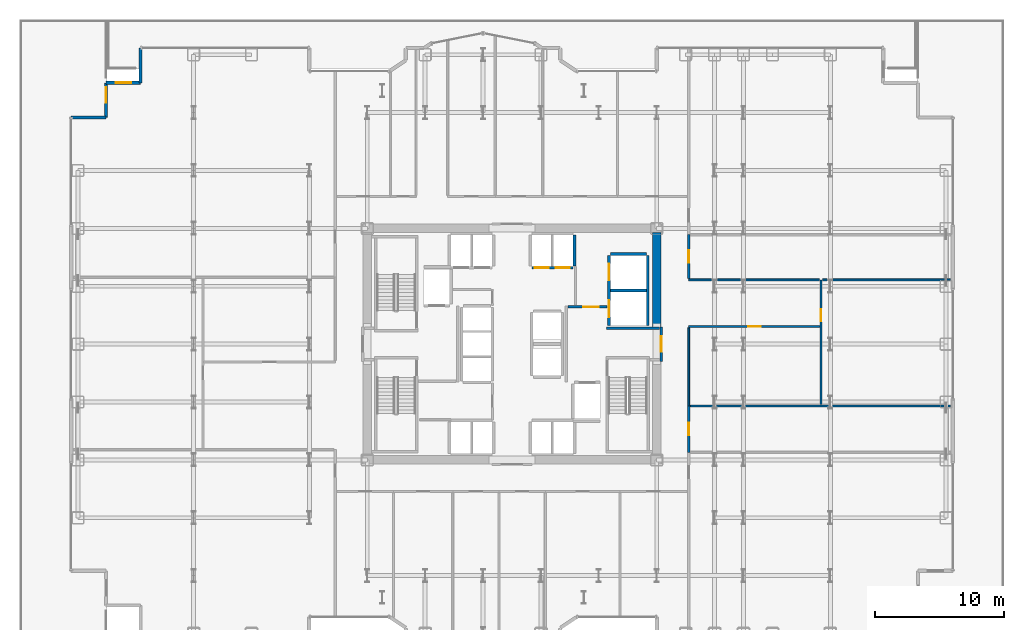
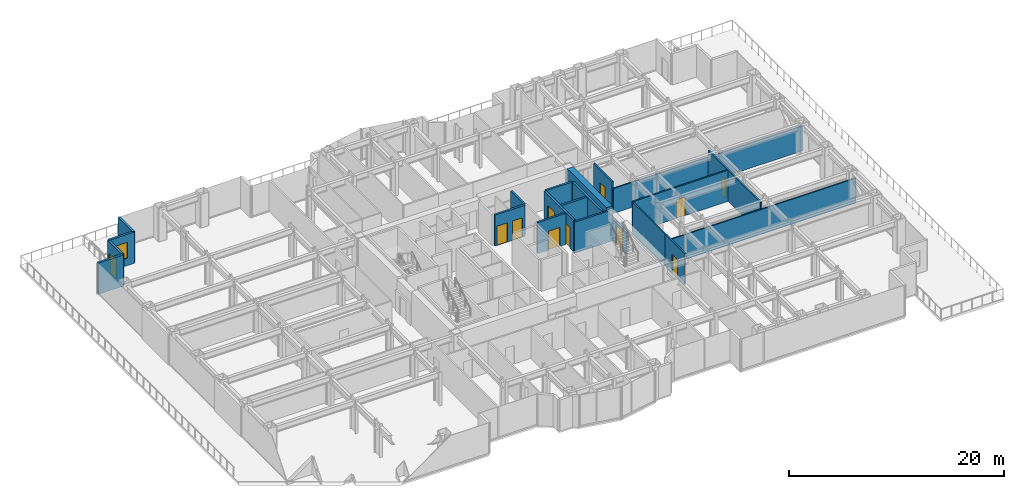
# One storey, part 25 of 30: 22 walls, 11 doors, 1 window, 12 openings.
"""IFC4 building model written with IfcOpenShell, lengths in metres."""

from ifc_helpers import new_model, si_unit, direction, frame, frame_2d, origin, place, context, subcontext, project, spatial, rectangle, extrude, source, transform, mapped, material, layer, layer_set, type_object, element, fill, save


model = new_model("IFC4")

# Units and contexts
model_context = context("Model", 3, precision=1e-05, world=origin(), true_north=direction((0.0, 1.0)))
body_context = subcontext(model_context, "Body", "Model", "MODEL_VIEW")
ifc_project = project(units=[si_unit("LENGTHUNIT", "METRE"), si_unit("AREAUNIT", "SQUARE_METRE"), si_unit("VOLUMEUNIT", "CUBIC_METRE"), si_unit("PLANEANGLEUNIT", "RADIAN"), si_unit("MASSUNIT", "GRAM", prefix="KILO")], contexts=[model_context])

# Site, building, storey
site_placement = place(None, origin())
site = spatial("IfcSite", under=ifc_project, at=site_placement, CompositionType="ELEMENT")
building_placement = place(site_placement, origin())
building = spatial("IfcBuilding", under=site, at=building_placement, Name="Nefas-Gora Pilgrimage Tower", CompositionType="ELEMENT")
storey_placement = place(building_placement, frame((0.0, 0.0, 33.0)))
storey = spatial("IfcBuildingStorey", under=building, at=storey_placement, Name="L06", CompositionType="ELEMENT", Elevation=33.0)

# Walls
ifc_material_1 = material(Name="Concrete C60/75", Category="concrete")
ifc_layer_1 = layer(ifc_material_1, 0.64990234375)
ifc_layer_set_1 = layer_set([ifc_layer_1], Name="Concrete C60/75")
wall_type_1 = type_object("IfcWallType", Name="SW-CORE-650", PredefinedType="SHEAR", material=ifc_layer_set_1)
shared_shape_1 = source(origin(), body_context, "Body", "SweptSolid", [
    extrude(rectangle(XDim=7.324951171875, YDim=0.64990234375, at=frame_2d((3.66259765625, 0.0))), origin(), (0.0, 0.0, 1.0), 3.800048828125),
])
wall_1_placement = place(storey_placement, frame((11.25, 1.35009765625, 0.0), z_axis=(0.0, 0.0, 1.0), x_axis=(0.0, 1.0, 0.0)))
element("IfcWall", 1, at=wall_1_placement, inside=storey, type_object=wall_type_1, Name="L06 Core Shear Wall E-North", PredefinedType="SHEAR", context=body_context, shape_type="MappedRepresentation", body=[
    mapped(shared_shape_1, transform((0.0, 0.0, 0.0), x_axis=(1.0, 0.0, 0.0), y_axis=(0.0, 1.0, 0.0), z_axis=(0.0, 0.0, 1.0), scale=1.0)),
])
ifc_material_2 = material(Name="Precast concrete C45/55", Category="concrete")
ifc_layer_2 = layer(ifc_material_2, 0.239990234375)
ifc_layer_set_2 = layer_set([ifc_layer_2], Name="Precast concrete C45/55")
wall_type_2 = type_object("IfcWallType", Name="EW-SERR-240", PredefinedType="SHEAR", material=ifc_layer_set_2)
shared_shape_2 = source(origin(), body_context, "Body", "SweptSolid", [
    extrude(rectangle(XDim=2.699951171875, YDim=0.239990234375, at=frame_2d((1.35009765625, 0.0))), origin(), (0.0, 0.0, 1.0), 3.550048828125),
])
wall_2_placement = place(storey_placement, frame((-28.8701171875, 23.02001953125, 0.0), z_axis=(0.0, 0.0, 1.0), x_axis=(0.0, -1.0, 0.0)))
element("IfcWall", 2, at=wall_2_placement, inside=storey, type_object=wall_type_2, Name="L06 Serrated Corner Shear Pier Wall 24", PredefinedType="SHEAR", context=body_context, shape_type="MappedRepresentation", body=[
    mapped(shared_shape_2, transform((0.0, 0.0, 0.0), x_axis=(1.0, 0.0, 0.0), y_axis=(0.0, 1.0, 0.0), z_axis=(0.0, 0.0, 1.0), scale=1.0)),
])

# Wall, opening, window
wall_3_placement = place(storey_placement, frame((-28.8701171875, 20.320068359375, 0.0), z_axis=(0.0, 0.0, 1.0), x_axis=(-1.0, 0.0, 0.0)))
wall_3 = element("IfcWall", 3, at=wall_3_placement, inside=storey, type_object=wall_type_2, Name="L06 Serrated Corner Shear Pier Wall 25", PredefinedType="SHEAR", context=body_context, shape_type="MappedRepresentation", body=[
    mapped(shared_shape_2, transform((0.0, 0.0, 0.0), x_axis=(1.0, 0.0, 0.0), y_axis=(0.0, 1.0, 0.0), z_axis=(0.0, 0.0, 1.0), scale=1.0)),
])
opening_1_placement = place(wall_3_placement, frame((0.75, 0.0, 0.85009765625)))
opening_1 = element("IfcOpeningElement", 4, at=opening_1_placement, cuts=wall_3, Name="Opening W-V1", PredefinedType="OPENING", context=body_context, shape_type="SweptSolid", body=[
    extrude(rectangle(XDim=1.199951171875, YDim=1.800048828125, at=frame_2d((0.60009765625, 0.89990234375))), frame((0.0, 0.1298828125, 0.0), z_axis=(0.0, -1.0, 0.0), x_axis=(1.0, 0.0, 0.0)), (0.0, 0.0, 1.0), 0.260009765625),
])
ifc_material_3 = material(Name="Dark ceramic-fritted operable aluminium-glass window", Category="aluminium")
window_type = type_object("IfcWindowType", Name="WIN-VENT-1200x1800", PartitioningType="SINGLE_PANEL", PredefinedType="WINDOW", material=ifc_material_3)
shared_shape_3 = source(origin(), body_context, "Body", "SweptSolid", [
    extrude(rectangle(XDim=1.199951171875, YDim=1.800048828125, at=frame_2d((0.60009765625, 0.89990234375))), frame((0.0, 0.030029296875, 0.0), z_axis=(0.0, -1.0, 0.0), x_axis=(1.0, 0.0, 0.0)), (0.0, 0.0, 1.0), 0.06005859375),
])
window_placement = place(opening_1_placement, origin())
window = element("IfcWindow", 5, at=window_placement, inside=storey, type_object=window_type, Name="L06 Operable Parallel-Outswing Window 25", OverallHeight=1.800048828125, OverallWidth=1.199951171875, PartitioningType="SINGLE_PANEL", PredefinedType="WINDOW", context=body_context, shape_type="MappedRepresentation", body=[
    mapped(shared_shape_3, transform((0.0, 0.0, 0.0), x_axis=(1.0, 0.0, 0.0), y_axis=(0.0, 1.0, 0.0), z_axis=(0.0, 0.0, 1.0), scale=1.0)),
])
fill(opening_1, window)

# Wall
wall_4_placement = place(storey_placement, frame((-31.570068359375, 17.6201171875, 0.0), z_axis=(0.0, 0.0, 1.0), x_axis=(-1.0, 0.0, 0.0)))
element("IfcWall", 6, at=wall_4_placement, inside=storey, type_object=wall_type_2, Name="L06 Serrated Corner Shear Pier Wall 27", PredefinedType="SHEAR", context=body_context, shape_type="MappedRepresentation", body=[
    mapped(shared_shape_2, transform((0.0, 0.0, 0.0), x_axis=(1.0, 0.0, 0.0), y_axis=(0.0, 1.0, 0.0), z_axis=(0.0, 0.0, 1.0), scale=1.0)),
])

# Wall, opening, door
ifc_material_4 = material(Name="Precast concrete C40/50", Category="concrete")
ifc_layer_3 = layer(ifc_material_4, 0.260009765625)
ifc_layer_set_3 = layer_set([ifc_layer_3], Name="Precast concrete C40/50")
wall_type_3 = type_object("IfcWallType", Name="EW-PORTAL-260", PredefinedType="SOLIDWALL", material=ifc_layer_set_3)
shared_shape_4 = source(origin(), body_context, "Body", "SweptSolid", [
    extrude(rectangle(XDim=2.699951171875, YDim=0.260009765625, at=frame_2d((1.35009765625, 0.0))), origin(), (0.0, 0.0, 1.0), 3.550048828125),
])
wall_5_placement = place(storey_placement, frame((-31.570068359375, 20.320068359375, 0.0), z_axis=(0.0, 0.0, 1.0), x_axis=(0.0, -1.0, 0.0)))
wall_5 = element("IfcWall", 7, at=wall_5_placement, inside=storey, type_object=wall_type_3, Name="L06 Insulated Terrace Portal Wall 26", PredefinedType="SOLIDWALL", context=body_context, shape_type="MappedRepresentation", body=[
    mapped(shared_shape_4, transform((0.0, 0.0, 0.0), x_axis=(1.0, 0.0, 0.0), y_axis=(0.0, 1.0, 0.0), z_axis=(0.0, 0.0, 1.0), scale=1.0)),
])
opening_2_placement = place(wall_5_placement, frame((0.333984375, 0.0, 0.0)))
opening_2 = element("IfcOpeningElement", 8, at=opening_2_placement, cuts=wall_5, Name="Opening ED-S1", PredefinedType="OPENING", context=body_context, shape_type="SweptSolid", body=[
    extrude(rectangle(XDim=1.199951171875, YDim=2.199951171875, at=frame_2d((0.60009765625, 1.10009765625))), frame((0.0, 0.139892578125, 0.0), z_axis=(0.0, -1.0, 0.0), x_axis=(1.0, 0.0, 0.0)), (0.0, 0.0, 1.0), 0.280029296875),
])
ifc_material_5 = material(Name="Heavy-wind glazed aluminium sky-terrace door", Category="aluminium")
door_type_1 = type_object("IfcDoorType", Name="DR-EXT-SKY-1200", OperationType="NOTDEFINED", PredefinedType="DOOR", material=ifc_material_5)
shared_shape_5 = source(origin(), body_context, "Body", "SweptSolid", [
    extrude(rectangle(XDim=1.199951171875, YDim=2.199951171875, at=frame_2d((0.60009765625, 1.10009765625))), frame((0.0, 0.02490234375, 0.0), z_axis=(0.0, -1.0, 0.0), x_axis=(1.0, 0.0, 0.0)), (0.0, 0.0, 1.0), 0.050048828125),
])
door_1_placement = place(opening_2_placement, origin())
door_1 = element("IfcDoor", 9, at=door_1_placement, inside=storey, type_object=door_type_1, Name="L06 Exterior Door (L06 Outdoor Terrace TER-L06-1)", OperationType="SINGLE_SWING_RIGHT", OverallHeight=2.199951171875, OverallWidth=1.199951171875, PredefinedType="DOOR", context=body_context, shape_type="MappedRepresentation", body=[
    mapped(shared_shape_5, transform((0.0, 0.0, 0.0), x_axis=(1.0, 0.0, 0.0), y_axis=(0.0, 1.0, 0.0), z_axis=(0.0, 0.0, 1.0), scale=1.0)),
])
fill(opening_2, door_1)

# Wall, openings, doors
ifc_material_6 = material(Name="Concrete C40/50", Category="concrete")
ifc_layer_4 = layer(ifc_material_6, 0.219970703125)
ifc_layer_set_4 = layer_set([ifc_layer_4], Name="Concrete C40/50")
wall_type_4 = type_object("IfcWallType", Name="IW-SHAFT-220", PredefinedType="SOLIDWALL", material=ifc_layer_set_4)
shared_shape_6 = source(origin(), body_context, "Body", "SweptSolid", [
    extrude(rectangle(XDim=5.449951171875, YDim=0.219970703125, at=frame_2d((2.72509765625, 0.0))), origin(), (0.0, 0.0, 1.0), 3.534912109375),
])
wall_6_placement = place(storey_placement, frame((7.5400390625, 6.89990234375, 0.0), z_axis=(0.0, 0.0, 1.0), x_axis=(0.0, -1.0, 0.0)))
wall_6 = element("IfcWall", 10, at=wall_6_placement, inside=storey, type_object=wall_type_4, Name="L06 Hoistway Wall SL-01-02-W", PredefinedType="SOLIDWALL", context=body_context, shape_type="MappedRepresentation", body=[
    mapped(shared_shape_6, transform((0.0, 0.0, 0.0), x_axis=(1.0, 0.0, 0.0), y_axis=(0.0, 1.0, 0.0), z_axis=(0.0, 0.0, 1.0), scale=1.0)),
])
opening_3_placement = place(wall_6_placement, frame((3.5, 0.0, 0.0)))
opening_3 = element("IfcOpeningElement", 11, at=opening_3_placement, cuts=wall_6, Name="Opening LD-SV", PredefinedType="OPENING", context=body_context, shape_type="SweptSolid", body=[
    extrude(rectangle(XDim=1.300048828125, YDim=2.300048828125, at=frame_2d((0.64990234375, 1.14990234375))), frame((0.0, 0.119873046875, 0.0), z_axis=(0.0, -1.0, 0.0), x_axis=(1.0, 0.0, 0.0)), (0.0, 0.0, 1.0), 0.239990234375),
])
opening_4_placement = place(wall_6_placement, frame((0.64990234375, 0.0, 0.0)))
opening_4 = element("IfcOpeningElement", 12, at=opening_4_placement, cuts=wall_6, Name="Opening LD-SV", PredefinedType="OPENING", context=body_context, shape_type="SweptSolid", body=[
    extrude(rectangle(XDim=1.300048828125, YDim=2.300048828125, at=frame_2d((0.64990234375, 1.14990234375))), frame((0.0, 0.119873046875, 0.0), z_axis=(0.0, -1.0, 0.0), x_axis=(1.0, 0.0, 0.0)), (0.0, 0.0, 1.0), 0.239990234375),
])
ifc_material_7 = material(Name="Heavy goods sliding lift landing door")
door_type_2 = type_object("IfcDoorType", Name="DR-LIFT-SERV-1300", OperationType="SLIDING_TO_RIGHT", PredefinedType="DOOR", material=ifc_material_7)
shared_shape_7 = source(origin(), body_context, "Body", "SweptSolid", [
    extrude(rectangle(XDim=1.300048828125, YDim=2.300048828125, at=frame_2d((0.64990234375, 1.14990234375))), frame((0.0, 0.02490234375, 0.0), z_axis=(0.0, -1.0, 0.0), x_axis=(1.0, 0.0, 0.0)), (0.0, 0.0, 1.0), 0.050048828125),
])
door_2_placement = place(opening_3_placement, origin())
door_2 = element("IfcDoor", 13, at=door_2_placement, inside=storey, type_object=door_type_2, Name="L06 Sliding Lift Landing Door SL-01", OperationType="SLIDING_TO_RIGHT", OverallHeight=2.300048828125, OverallWidth=1.300048828125, PredefinedType="DOOR", context=body_context, shape_type="MappedRepresentation", body=[
    mapped(shared_shape_7, transform((0.0, 0.0, 0.0), x_axis=(1.0, 0.0, 0.0), y_axis=(0.0, 1.0, 0.0), z_axis=(0.0, 0.0, 1.0), scale=1.0)),
])
fill(opening_3, door_2)
door_3_placement = place(opening_4_placement, origin())
door_3 = element("IfcDoor", 14, at=door_3_placement, inside=storey, type_object=door_type_2, Name="L06 Sliding Lift Landing Door SL-02", OperationType="SLIDING_TO_RIGHT", OverallHeight=2.300048828125, OverallWidth=1.300048828125, PredefinedType="DOOR", context=body_context, shape_type="MappedRepresentation", body=[
    mapped(shared_shape_7, transform((0.0, 0.0, 0.0), x_axis=(1.0, 0.0, 0.0), y_axis=(0.0, 1.0, 0.0), z_axis=(0.0, 0.0, 1.0), scale=1.0)),
])
fill(opening_4, door_3)

# Walls
wall_7_placement = place(storey_placement, frame((10.56005859375, 1.449951171875, 0.0), z_axis=(0.0, 0.0, 1.0), x_axis=(0.0, 1.0, 0.0)))
element("IfcWall", 15, at=wall_7_placement, inside=storey, type_object=wall_type_4, Name="L06 Hoistway Wall SL-01-02-E", PredefinedType="SOLIDWALL", context=body_context, shape_type="MappedRepresentation", body=[
    mapped(shared_shape_6, transform((0.0, 0.0, 0.0), x_axis=(1.0, 0.0, 0.0), y_axis=(0.0, 1.0, 0.0), z_axis=(0.0, 0.0, 1.0), scale=1.0)),
])
shared_shape_8 = source(origin(), body_context, "Body", "SweptSolid", [
    extrude(rectangle(XDim=2.780029296875, YDim=0.219970703125, at=frame_2d((1.39013671875, 0.0))), origin(), (0.0, 0.0, 1.0), 3.534912109375),
])
for number, where, z_axis, x_axis, name in (
    (16, (7.659912109375, 4.175048828125, 0.0), (0.0, 0.0, 1.0), (1.0, 0.0, 0.0), "L06 Hoistway Wall SL-01-02-DIV"),
    (17, (10.43994140625, 7.010009765625, 0.0), (0.0, 0.0, 1.0), (-1.0, 0.0, 0.0), "L06 Hoistway Wall SL-02-N"),
):
    element("IfcWall", number, at=place(storey_placement, frame(where, z_axis=z_axis, x_axis=x_axis)), inside=storey, type_object=wall_type_4, Name=name, PredefinedType="SOLIDWALL", context=body_context, shape_type="MappedRepresentation", body=[
        mapped(shared_shape_8, transform((0.0, 0.0, 0.0), x_axis=(1.0, 0.0, 0.0), y_axis=(0.0, 1.0, 0.0), z_axis=(0.0, 0.0, 1.0), scale=1.0)),
    ])

# Wall, openings, doors
shared_shape_9 = source(origin(), body_context, "Body", "SweptSolid", [
    extrude(rectangle(XDim=3.199951171875, YDim=0.219970703125, at=frame_2d((1.60009765625, 0.0))), origin(), (0.0, 0.0, 1.0), 3.534912109375),
])
wall_8_placement = place(storey_placement, frame((1.550048828125, 5.93994140625, 0.0), z_axis=(0.0, 0.0, 1.0), x_axis=(1.0, 0.0, 0.0)))
wall_8 = element("IfcWall", 18, at=wall_8_placement, inside=storey, type_object=wall_type_4, Name="L06 Hoistway Wall PL1-E-S", PredefinedType="SOLIDWALL", context=body_context, shape_type="MappedRepresentation", body=[
    mapped(shared_shape_9, transform((0.0, 0.0, 0.0), x_axis=(1.0, 0.0, 0.0), y_axis=(0.0, 1.0, 0.0), z_axis=(0.0, 0.0, 1.0), scale=1.0)),
])
opening_5_placement = place(wall_8_placement, frame((0.22509765625, 0.0, 0.0)))
opening_5 = element("IfcOpeningElement", 19, at=opening_5_placement, cuts=wall_8, Name="Opening LD-01", PredefinedType="OPENING", context=body_context, shape_type="SweptSolid", body=[
    extrude(rectangle(XDim=1.10009765625, YDim=2.199951171875, at=frame_2d((0.550048828125, 1.10009765625))), frame((0.0, 0.119873046875, 0.0), z_axis=(0.0, -1.0, 0.0), x_axis=(1.0, 0.0, 0.0)), (0.0, 0.0, 1.0), 0.239990234375),
])
opening_6_placement = place(wall_8_placement, frame((1.85009765625, 0.0, 0.0)))
opening_6 = element("IfcOpeningElement", 20, at=opening_6_placement, cuts=wall_8, Name="Opening LD-01", PredefinedType="OPENING", context=body_context, shape_type="SweptSolid", body=[
    extrude(rectangle(XDim=1.10009765625, YDim=2.199951171875, at=frame_2d((0.550048828125, 1.10009765625))), frame((0.0, 0.119873046875, 0.0), z_axis=(0.0, -1.0, 0.0), x_axis=(1.0, 0.0, 0.0)), (0.0, 0.0, 1.0), 0.239990234375),
])
ifc_material_8 = material(Name="Brushed stainless sliding lift landing door")
door_type_3 = type_object("IfcDoorType", Name="DR-LIFT-PASS-1100", OperationType="DOUBLE_DOOR_SLIDING", PredefinedType="DOOR", material=ifc_material_8)
shared_shape_10 = source(origin(), body_context, "Body", "SweptSolid", [
    extrude(rectangle(XDim=1.10009765625, YDim=2.199951171875, at=frame_2d((0.550048828125, 1.10009765625))), frame((0.0, 0.02490234375, 0.0), z_axis=(0.0, -1.0, 0.0), x_axis=(1.0, 0.0, 0.0)), (0.0, 0.0, 1.0), 0.050048828125),
])
door_4_placement = place(opening_5_placement, origin())
door_4 = element("IfcDoor", 21, at=door_4_placement, inside=storey, type_object=door_type_3, Name="L06 Sliding Lift Landing Door PL1-03", OperationType="DOUBLE_DOOR_SLIDING", OverallHeight=2.199951171875, OverallWidth=1.10009765625, PredefinedType="DOOR", context=body_context, shape_type="MappedRepresentation", body=[
    mapped(shared_shape_10, transform((0.0, 0.0, 0.0), x_axis=(1.0, 0.0, 0.0), y_axis=(0.0, 1.0, 0.0), z_axis=(0.0, 0.0, 1.0), scale=1.0)),
])
fill(opening_5, door_4)
door_5_placement = place(opening_6_placement, origin())
door_5 = element("IfcDoor", 22, at=door_5_placement, inside=storey, type_object=door_type_3, Name="L06 Sliding Lift Landing Door PL1-04", OperationType="DOUBLE_DOOR_SLIDING", OverallHeight=2.199951171875, OverallWidth=1.10009765625, PredefinedType="DOOR", context=body_context, shape_type="MappedRepresentation", body=[
    mapped(shared_shape_10, transform((0.0, 0.0, 0.0), x_axis=(1.0, 0.0, 0.0), y_axis=(0.0, 1.0, 0.0), z_axis=(0.0, 0.0, 1.0), scale=1.0)),
])
fill(opening_6, door_5)

# Wall
shared_shape_11 = source(origin(), body_context, "Body", "SweptSolid", [
    extrude(rectangle(XDim=2.429931640625, YDim=0.219970703125, at=frame_2d((1.21484375, 0.0))), origin(), (0.0, 0.0, 1.0), 3.534912109375),
])
wall_9_placement = place(storey_placement, frame((4.860107421875, 6.06005859375, 0.0), z_axis=(0.0, 0.0, 1.0), x_axis=(0.0, 1.0, 0.0)))
element("IfcWall", 23, at=wall_9_placement, inside=storey, type_object=wall_type_4, Name="L06 Hoistway Wall PL1-E-E", PredefinedType="SOLIDWALL", context=body_context, shape_type="MappedRepresentation", body=[
    mapped(shared_shape_11, transform((0.0, 0.0, 0.0), x_axis=(1.0, 0.0, 0.0), y_axis=(0.0, 1.0, 0.0), z_axis=(0.0, 0.0, 1.0), scale=1.0)),
])

# Wall, opening, door
ifc_material_9 = material(Name="Gypsum fire-rated shaftwall")
ifc_layer_5 = layer(ifc_material_9, 0.199951171875)
ifc_layer_set_5 = layer_set([ifc_layer_5], Name="Gypsum fire-rated shaftwall")
wall_type_5 = type_object("IfcWallType", Name="IW-FFLOB-200", PredefinedType="PARTITIONING", material=ifc_layer_set_5)
shared_shape_12 = source(origin(), body_context, "Body", "SweptSolid", [
    extrude(rectangle(XDim=2.7001953125, YDim=0.199951171875, at=frame_2d((1.35009765625, 0.0))), origin(), (0.0, 0.0, 1.0), 2.425048828125),
])
wall_10_placement = place(storey_placement, frame((11.60009765625, -1.35009765625, 0.0), z_axis=(0.0, 0.0, 1.0), x_axis=(0.0, 1.0, 0.0)))
wall_10 = element("IfcWall", 24, at=wall_10_placement, inside=storey, type_object=wall_type_5, Name="L06 FF Lobby East Portal Wall 8", PredefinedType="PARTITIONING", context=body_context, shape_type="MappedRepresentation", body=[
    mapped(shared_shape_12, transform((0.0, 0.0, 0.0), x_axis=(1.0, 0.0, 0.0), y_axis=(0.0, 1.0, 0.0), z_axis=(0.0, 0.0, 1.0), scale=1.0)),
])
opening_7_placement = place(wall_10_placement, frame((0.75, 0.0, 0.0)))
opening_7 = element("IfcOpeningElement", 25, at=opening_7_placement, cuts=wall_10, Name="Opening ID-FF1", PredefinedType="OPENING", context=body_context, shape_type="SweptSolid", body=[
    extrude(rectangle(XDim=1.199951171875, YDim=2.14990234375, at=frame_2d((0.60009765625, 1.074951171875))), frame((0.0, 0.10986328125, 0.0), z_axis=(0.0, -1.0, 0.0), x_axis=(1.0, 0.0, 0.0)), (0.0, 0.0, 1.0), 0.219970703125),
])
ifc_material_10 = material(Name="Smoke-sealed steel firefighting lobby door", Category="steel")
door_type_4 = type_object("IfcDoorType", Name="DR-INT-FFLOB-1200", OperationType="NOTDEFINED", PredefinedType="DOOR", material=ifc_material_10)
shared_shape_13 = source(origin(), body_context, "Body", "SweptSolid", [
    extrude(rectangle(XDim=1.199951171875, YDim=2.14990234375, at=frame_2d((0.60009765625, 1.074951171875))), frame((0.0, 0.02490234375, 0.0), z_axis=(0.0, -1.0, 0.0), x_axis=(1.0, 0.0, 0.0)), (0.0, 0.0, 1.0), 0.050048828125),
])
door_6_placement = place(opening_7_placement, origin())
door_6 = element("IfcDoor", 26, at=door_6_placement, inside=storey, type_object=door_type_4, Name="L06 FF Lobby East Portal Door 2", OperationType="SINGLE_SWING_RIGHT", OverallHeight=2.14990234375, OverallWidth=1.199951171875, PredefinedType="DOOR", context=body_context, shape_type="MappedRepresentation", body=[
    mapped(shared_shape_13, transform((0.0, 0.0, 0.0), x_axis=(1.0, 0.0, 0.0), y_axis=(0.0, 1.0, 0.0), z_axis=(0.0, 0.0, 1.0), scale=1.0)),
])
fill(opening_7, door_6)

shared_shape_14 = source(origin(), body_context, "Body", "SweptSolid", [
    extrude(rectangle(XDim=3.039794921875, YDim=0.199951171875, at=frame_2d((1.52001953125, 0.0))), origin(), (0.0, 0.0, 1.0), 3.534912109375),
])
wall_11_placement = place(storey_placement, frame((4.360107421875, 2.89990234375, 0.0), z_axis=(0.0, 0.0, 1.0), x_axis=(1.0, 0.0, 0.0)))
wall_11 = element("IfcWall", 27, at=wall_11_placement, inside=storey, type_object=wall_type_5, Name="L06 FF Lobby East North Wall Wall 10", PredefinedType="PARTITIONING", context=body_context, shape_type="MappedRepresentation", body=[
    mapped(shared_shape_14, transform((0.0, 0.0, 0.0), x_axis=(1.0, 0.0, 0.0), y_axis=(0.0, 1.0, 0.0), z_axis=(0.0, 0.0, 1.0), scale=1.0)),
])
opening_8_placement = place(wall_11_placement, frame((1.18994140625, 0.0, 0.0)))
opening_8 = element("IfcOpeningElement", 28, at=opening_8_placement, cuts=wall_11, Name="Opening ID-PL1", PredefinedType="OPENING", context=body_context, shape_type="SweptSolid", body=[
    extrude(rectangle(XDim=1.199951171875, YDim=2.14990234375, at=frame_2d((0.60009765625, 1.074951171875))), frame((0.0, 0.10986328125, 0.0), z_axis=(0.0, -1.0, 0.0), x_axis=(1.0, 0.0, 0.0)), (0.0, 0.0, 1.0), 0.219970703125),
])
ifc_material_11 = material(Name="Heavy-duty steel plant room fire door", Category="steel")
door_type_5 = type_object("IfcDoorType", Name="DR-INT-PLANT-1200", OperationType="NOTDEFINED", PredefinedType="DOOR", material=ifc_material_11)
door_7_placement = place(opening_8_placement, origin())
door_7 = element("IfcDoor", 29, at=door_7_placement, inside=storey, type_object=door_type_5, Name="L06 Service Lift Lobby Door Door 3", OperationType="SINGLE_SWING_LEFT", OverallHeight=2.14990234375, OverallWidth=1.199951171875, PredefinedType="DOOR", context=body_context, shape_type="MappedRepresentation", body=[
    mapped(shared_shape_13, transform((0.0, 0.0, 0.0), x_axis=(1.0, 0.0, 0.0), y_axis=(0.0, 1.0, 0.0), z_axis=(0.0, 0.0, 1.0), scale=1.0)),
])
fill(opening_8, door_7)

# Wall
shared_shape_15 = source(origin(), body_context, "Body", "SweptSolid", [
    extrude(rectangle(XDim=4.10986328125, YDim=0.199951171875, at=frame_2d((2.054931640625, 0.0))), origin(), (0.0, 0.0, 1.0), 3.534912109375),
])
wall_12_placement = place(storey_placement, frame((7.35009765625, 1.219970703125, 0.0), z_axis=(0.0, 0.0, 1.0), x_axis=(1.0, 0.0, 0.0)))
element("IfcWall", 30, at=wall_12_placement, inside=storey, type_object=wall_type_5, Name="L06 FF Lobby East Throat N Wall 11", PredefinedType="PARTITIONING", context=body_context, shape_type="MappedRepresentation", body=[
    mapped(shared_shape_15, transform((0.0, 0.0, 0.0), x_axis=(1.0, 0.0, 0.0), y_axis=(0.0, 1.0, 0.0), z_axis=(0.0, 0.0, 1.0), scale=1.0)),
])

# Wall, opening, door
ifc_material_12 = material(Name="Gypsum acoustic stud partition")
ifc_layer_6 = layer(ifc_material_12, 0.159912109375)
ifc_layer_set_6 = layer_set([ifc_layer_6], Name="Gypsum acoustic stud partition")
wall_type_6 = type_object("IfcWallType", Name="IW-CORR-160", PredefinedType="PARTITIONING", material=ifc_layer_set_6)
shared_shape_16 = source(origin(), body_context, "Body", "SweptSolid", [
    extrude(rectangle(XDim=10.25, YDim=0.159912109375, at=frame_2d((5.125, 0.0))), origin(), (0.0, 0.0, 1.0), 3.534912109375),
])
wall_13_placement = place(storey_placement, frame((13.72998046875, 1.3798828125, 0.0), z_axis=(0.0, 0.0, 1.0), x_axis=(1.0, 0.0, 0.0)))
wall_13 = element("IfcWall", 31, at=wall_13_placement, inside=storey, type_object=wall_type_6, Name="L06 Pilgrim Contemplative Lounge Partition Wall 34", PredefinedType="PARTITIONING", context=body_context, shape_type="MappedRepresentation", body=[
    mapped(shared_shape_16, transform((0.0, 0.0, 0.0), x_axis=(1.0, 0.0, 0.0), y_axis=(0.0, 1.0, 0.0), z_axis=(0.0, 0.0, 1.0), scale=1.0)),
])
opening_9_placement = place(wall_13_placement, frame((4.64990234375, 0.0, 0.0)))
opening_9 = element("IfcOpeningElement", 32, at=opening_9_placement, cuts=wall_13, Name="Opening ID-GR1", PredefinedType="OPENING", context=body_context, shape_type="SweptSolid", body=[
    extrude(rectangle(XDim=0.949951171875, YDim=2.10009765625, at=frame_2d((0.47509765625, 1.050048828125))), frame((0.0, 0.08984375, 0.0), z_axis=(0.0, -1.0, 0.0), x_axis=(1.0, 0.0, 0.0)), (0.0, 0.0, 1.0), 0.179931640625),
])
ifc_material_13 = material(Name="Solid core oak fire-rated guest entrance door")
door_type_6 = type_object("IfcDoorType", Name="DR-INT-GUEST-950", OperationType="NOTDEFINED", PredefinedType="DOOR", material=ifc_material_13)
shared_shape_17 = source(origin(), body_context, "Body", "SweptSolid", [
    extrude(rectangle(XDim=0.949951171875, YDim=2.10009765625, at=frame_2d((0.47509765625, 1.050048828125))), frame((0.0, 0.02490234375, 0.0), z_axis=(0.0, -1.0, 0.0), x_axis=(1.0, 0.0, 0.0)), (0.0, 0.0, 1.0), 0.050048828125),
])
door_8_placement = place(opening_9_placement, origin())
door_8 = element("IfcDoor", 33, at=door_8_placement, inside=storey, type_object=door_type_6, Name="L06 Pilgrim Contemplative Lounge Door 15", OperationType="SINGLE_SWING_LEFT", OverallHeight=2.10009765625, OverallWidth=0.949951171875, PredefinedType="DOOR", context=body_context, shape_type="MappedRepresentation", body=[
    mapped(shared_shape_17, transform((0.0, 0.0, 0.0), x_axis=(1.0, 0.0, 0.0), y_axis=(0.0, 1.0, 0.0), z_axis=(0.0, 0.0, 1.0), scale=1.0)),
])
fill(opening_9, door_8)

shared_shape_18 = source(origin(), body_context, "Body", "SweptSolid", [
    extrude(rectangle(XDim=3.610107421875, YDim=0.159912109375, at=frame_2d((1.80517578125, 0.0))), origin(), (0.0, 0.0, 1.0), 3.534912109375),
])
wall_14_placement = place(storey_placement, frame((13.739990234375, -8.405029296875, 0.0), z_axis=(0.0, 0.0, 1.0), x_axis=(0.0, 1.0, 0.0)))
wall_14 = element("IfcWall", 34, at=wall_14_placement, inside=storey, type_object=wall_type_6, Name="L06 Pilgrim Contemplative Lounge Partition Wall 32", PredefinedType="PARTITIONING", context=body_context, shape_type="MappedRepresentation", body=[
    mapped(shared_shape_18, transform((0.0, 0.0, 0.0), x_axis=(1.0, 0.0, 0.0), y_axis=(0.0, 1.0, 0.0), z_axis=(0.0, 0.0, 1.0), scale=1.0)),
])
opening_10_placement = place(wall_14_placement, frame((1.330078125, 0.0, 0.0)))
opening_10 = element("IfcOpeningElement", 35, at=opening_10_placement, cuts=wall_14, Name="Opening ID-GR1", PredefinedType="OPENING", context=body_context, shape_type="SweptSolid", body=[
    extrude(rectangle(XDim=0.949951171875, YDim=2.10009765625, at=frame_2d((0.47509765625, 1.050048828125))), frame((0.0, 0.08984375, 0.0), z_axis=(0.0, -1.0, 0.0), x_axis=(1.0, 0.0, 0.0)), (0.0, 0.0, 1.0), 0.179931640625),
])
door_9_placement = place(opening_10_placement, origin())
door_9 = element("IfcDoor", 36, at=door_9_placement, inside=storey, type_object=door_type_6, Name="L06 Pilgrim Contemplative Lounge Door 14", OperationType="SINGLE_SWING_RIGHT", OverallHeight=2.10009765625, OverallWidth=0.949951171875, PredefinedType="DOOR", context=body_context, shape_type="MappedRepresentation", body=[
    mapped(shared_shape_17, transform((0.0, 0.0, 0.0), x_axis=(1.0, 0.0, 0.0), y_axis=(0.0, 1.0, 0.0), z_axis=(0.0, 0.0, 1.0), scale=1.0)),
])
fill(opening_10, door_9)

# Walls
ifc_material_14 = material(Name="Gypsum twin-stud partition")
ifc_layer_7 = layer(ifc_material_14, 0.139892578125)
ifc_layer_set_7 = layer_set([ifc_layer_7], Name="Gypsum twin-stud partition")
wall_type_7 = type_object("IfcWallType", Name="IW-UNIT-140", PredefinedType="PARTITIONING", material=ifc_layer_set_7)
shared_shape_19 = source(origin(), body_context, "Body", "SweptSolid", [
    extrude(rectangle(XDim=20.219970703125, YDim=0.139892578125, at=frame_2d((10.10986328125, 0.0))), origin(), (0.0, 0.0, 1.0), 2.824951171875),
])
wall_15_placement = place(storey_placement, frame((13.860107421875, -4.804931640625, 0.0), z_axis=(0.0, 0.0, 1.0), x_axis=(1.0, 0.0, 0.0)))
element("IfcWall", 37, at=wall_15_placement, inside=storey, type_object=wall_type_7, Name="L06 Pilgrim Contemplative Lounge Partition Wall 33", PredefinedType="PARTITIONING", context=body_context, shape_type="MappedRepresentation", body=[
    mapped(shared_shape_19, transform((0.0, 0.0, 0.0), x_axis=(1.0, 0.0, 0.0), y_axis=(0.0, 1.0, 0.0), z_axis=(0.0, 0.0, 1.0), scale=1.0)),
])
shared_shape_20 = source(origin(), body_context, "Body", "SweptSolid", [
    extrude(rectangle(XDim=6.06494140625, YDim=0.139892578125, at=frame_2d((3.032470703125, 0.0))), origin(), (0.0, 0.0, 1.0), 3.534912109375),
])
wall_16_placement = place(storey_placement, frame((13.739990234375, -4.804931640625, 0.0), z_axis=(0.0, 0.0, 1.0), x_axis=(0.0, 1.0, 0.0)))
element("IfcWall", 38, at=wall_16_placement, inside=storey, type_object=wall_type_7, Name="L06 Pilgrim Contemplative Lounge Partition Wall 35", PredefinedType="PARTITIONING", context=body_context, shape_type="MappedRepresentation", body=[
    mapped(shared_shape_20, transform((0.0, 0.0, 0.0), x_axis=(1.0, 0.0, 0.0), y_axis=(0.0, 1.0, 0.0), z_axis=(0.0, 0.0, 1.0), scale=1.0)),
])

# Wall, opening, door
shared_shape_21 = source(origin(), body_context, "Body", "SweptSolid", [
    extrude(rectangle(XDim=9.699951171875, YDim=0.159912109375, at=frame_2d((4.85009765625, 0.0))), origin(), (0.0, 0.0, 1.0), 3.534912109375),
])
wall_17_placement = place(storey_placement, frame((24.02001953125, -4.695068359375, 0.0), z_axis=(0.0, 0.0, 1.0), x_axis=(0.0, 1.0, 0.0)))
wall_17 = element("IfcWall", 39, at=wall_17_placement, inside=storey, type_object=wall_type_6, Name="L06 Pilgrim Contemplative Lounge Partition Wall 36", PredefinedType="PARTITIONING", context=body_context, shape_type="MappedRepresentation", body=[
    mapped(shared_shape_21, transform((0.0, 0.0, 0.0), x_axis=(1.0, 0.0, 0.0), y_axis=(0.0, 1.0, 0.0), z_axis=(0.0, 0.0, 1.0), scale=1.0)),
])
opening_11_placement = place(wall_17_placement, frame((6.469970703125, 0.0, 0.0)))
opening_11 = element("IfcOpeningElement", 40, at=opening_11_placement, cuts=wall_17, Name="Opening ID-GR1", PredefinedType="OPENING", context=body_context, shape_type="SweptSolid", body=[
    extrude(rectangle(XDim=0.949951171875, YDim=2.10009765625, at=frame_2d((0.47509765625, 1.050048828125))), frame((0.0, 0.08984375, 0.0), z_axis=(0.0, -1.0, 0.0), x_axis=(1.0, 0.0, 0.0)), (0.0, 0.0, 1.0), 0.179931640625),
])
door_10_placement = place(opening_11_placement, origin())
door_10 = element("IfcDoor", 41, at=door_10_placement, inside=storey, type_object=door_type_6, Name="L06 Pilgrim Contemplative Lounge Door 16", OperationType="SINGLE_SWING_RIGHT", OverallHeight=2.10009765625, OverallWidth=0.949951171875, PredefinedType="DOOR", context=body_context, shape_type="MappedRepresentation", body=[
    mapped(shared_shape_17, transform((0.0, 0.0, 0.0), x_axis=(1.0, 0.0, 0.0), y_axis=(0.0, 1.0, 0.0), z_axis=(0.0, 0.0, 1.0), scale=1.0)),
])
fill(opening_11, door_10)

# Walls
shared_shape_22 = source(origin(), body_context, "Body", "SweptSolid", [
    extrude(rectangle(XDim=10.169921875, YDim=0.139892578125, at=frame_2d((5.0849609375, 0.0))), origin(), (0.0, 0.0, 1.0), 2.824951171875),
])
wall_18_placement = place(storey_placement, frame((13.72998046875, 4.9951171875, 0.0), z_axis=(0.0, 0.0, 1.0), x_axis=(1.0, 0.0, 0.0)))
element("IfcWall", 42, at=wall_18_placement, inside=storey, type_object=wall_type_7, Name="L06 Pilgrim Contemplative Lounge Partition Wall 37", PredefinedType="PARTITIONING", context=body_context, shape_type="MappedRepresentation", body=[
    mapped(shared_shape_22, transform((0.0, 0.0, 0.0), x_axis=(1.0, 0.0, 0.0), y_axis=(0.0, 1.0, 0.0), z_axis=(0.0, 0.0, 1.0), scale=1.0)),
])
shared_shape_23 = source(origin(), body_context, "Body", "SweptSolid", [
    extrude(rectangle(XDim=9.940185546875, YDim=0.139892578125, at=frame_2d((4.97021484375, 0.0))), origin(), (0.0, 0.0, 1.0), 2.824951171875),
])
wall_19_placement = place(storey_placement, frame((24.139892578125, 4.9951171875, 0.0), z_axis=(0.0, 0.0, 1.0), x_axis=(1.0, 0.0, 0.0)))
element("IfcWall", 43, at=wall_19_placement, inside=storey, type_object=wall_type_7, Name="L06 Pilgrim Contemplative Lounge Partition Wall 38", PredefinedType="PARTITIONING", context=body_context, shape_type="MappedRepresentation", body=[
    mapped(shared_shape_23, transform((0.0, 0.0, 0.0), x_axis=(1.0, 0.0, 0.0), y_axis=(0.0, 1.0, 0.0), z_axis=(0.0, 0.0, 1.0), scale=1.0)),
])

# Wall, opening, door
shared_shape_24 = source(origin(), body_context, "Body", "SweptSolid", [
    extrude(rectangle(XDim=3.39990234375, YDim=0.159912109375, at=frame_2d((1.699951171875, 0.0))), origin(), (0.0, 0.0, 1.0), 3.534912109375),
])
wall_20_placement = place(storey_placement, frame((13.739990234375, 5.10498046875, 0.0), z_axis=(0.0, 0.0, 1.0), x_axis=(0.0, 1.0, 0.0)))
wall_20 = element("IfcWall", 44, at=wall_20_placement, inside=storey, type_object=wall_type_6, Name="L06 Pilgrim Contemplative Lounge Partition Wall 39", PredefinedType="PARTITIONING", context=body_context, shape_type="MappedRepresentation", body=[
    mapped(shared_shape_24, transform((0.0, 0.0, 0.0), x_axis=(1.0, 0.0, 0.0), y_axis=(0.0, 1.0, 0.0), z_axis=(0.0, 0.0, 1.0), scale=1.0)),
])
opening_12_placement = place(wall_20_placement, frame((1.22509765625, 0.0, 0.0)))
opening_12 = element("IfcOpeningElement", 45, at=opening_12_placement, cuts=wall_20, Name="Opening ID-GR1", PredefinedType="OPENING", context=body_context, shape_type="SweptSolid", body=[
    extrude(rectangle(XDim=0.949951171875, YDim=2.10009765625, at=frame_2d((0.47509765625, 1.050048828125))), frame((0.0, 0.08984375, 0.0), z_axis=(0.0, -1.0, 0.0), x_axis=(1.0, 0.0, 0.0)), (0.0, 0.0, 1.0), 0.179931640625),
])
door_11_placement = place(opening_12_placement, origin())
door_11 = element("IfcDoor", 46, at=door_11_placement, inside=storey, type_object=door_type_6, Name="L06 Pilgrim Contemplative Lounge Door 17", OperationType="SINGLE_SWING_LEFT", OverallHeight=2.10009765625, OverallWidth=0.949951171875, PredefinedType="DOOR", context=body_context, shape_type="MappedRepresentation", body=[
    mapped(shared_shape_17, transform((0.0, 0.0, 0.0), x_axis=(1.0, 0.0, 0.0), y_axis=(0.0, 1.0, 0.0), z_axis=(0.0, 0.0, 1.0), scale=1.0)),
])
fill(opening_12, door_11)

save(model, "model.ifc")
